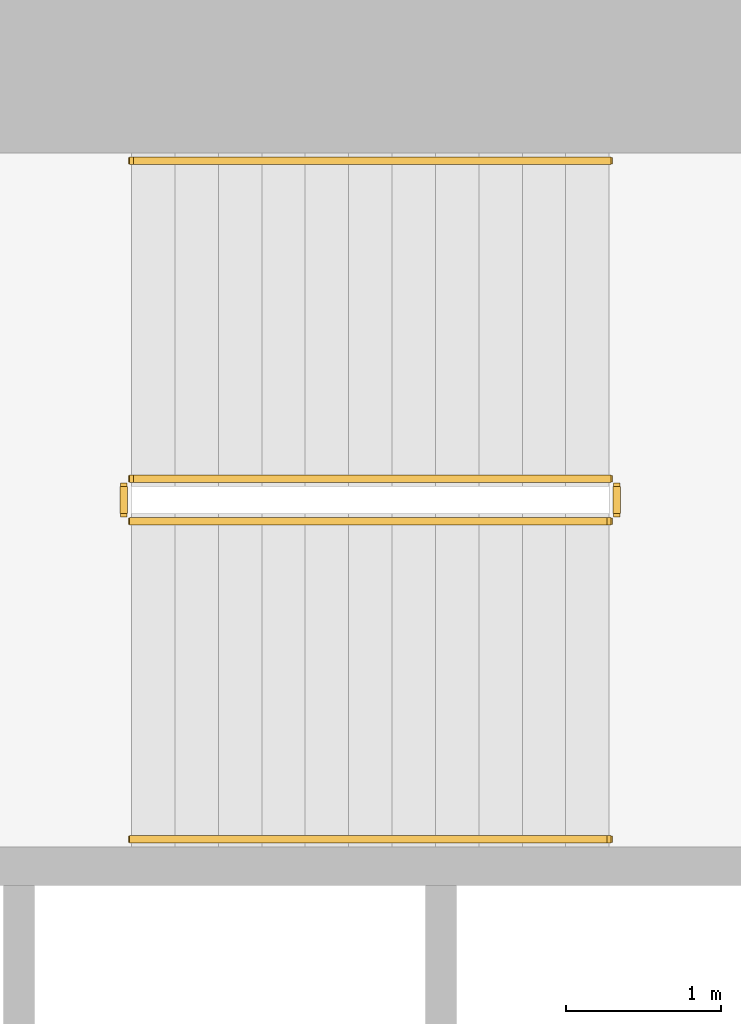
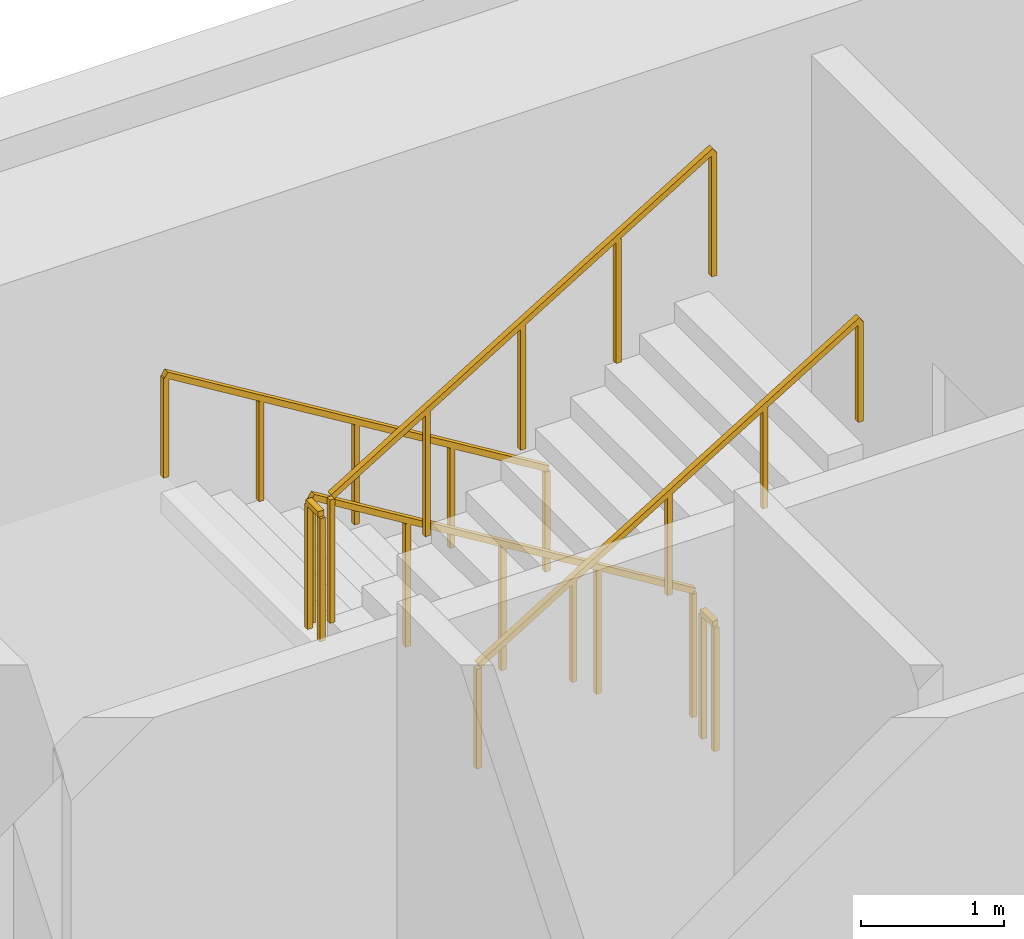
# One storey, part 14 of 15: 6 railings.
"""IFC4 building model written with IfcOpenShell, lengths in metres."""

from ifc_helpers import new_model, si_unit, direction, frame, origin, origin_2d, place, context, subcontext, project, spatial, rectangle, extrude, material, type_object, element, save


model = new_model("IFC4")

# Units and contexts
model_context = context("Model", 3, precision=1e-05, world=origin(), true_north=direction((0.0, 1.0)))
body_context = subcontext(model_context, "Body", "Model", "MODEL_VIEW")
ifc_project = project(units=[si_unit("LENGTHUNIT", "METRE"), si_unit("AREAUNIT", "SQUARE_METRE"), si_unit("VOLUMEUNIT", "CUBIC_METRE"), si_unit("PLANEANGLEUNIT", "RADIAN"), si_unit("MASSUNIT", "GRAM", prefix="KILO")], contexts=[model_context])

# Site, building, storey
site_placement = place(None, origin())
site = spatial("IfcSite", under=ifc_project, at=site_placement, CompositionType="ELEMENT")
building_placement = place(site_placement, origin())
building = spatial("IfcBuilding", under=site, at=building_placement, Name="Cypress Arch Tower", CompositionType="ELEMENT")
storey_placement = place(building_placement, frame((0.0, 0.0, 205.60009765625)))
storey = spatial("IfcBuildingStorey", under=building, at=storey_placement, Name="L45", CompositionType="ELEMENT", Elevation=205.60009765625)

# Railings
ifc_material_1 = material(Name="Black powder-coated steel square bar 48 mm", Category="steel")
railing_type_1 = type_object("IfcRailingType", Name="Stair handrail HR1", PredefinedType="HANDRAIL", material=ifc_material_1)
railing_1_placement = place(storey_placement, frame((-22.27490234375, 14.75, 0.170654296875)))
element("IfcRailing", 1, at=railing_1_placement, inside=storey, type_object=railing_type_1, Name="L45 B stair handrail 1", PredefinedType="HANDRAIL", context=body_context, shape_type="SweptSolid", body=[
    extrude(rectangle(XDim=0.048095703125, YDim=0.048095703125, at=origin_2d()), frame((0.0, 0.0, 0.8759765625), z_axis=(-0.853666305674, 0.0, 0.52082035152), x_axis=(0.0, -1.0, 0.0)), (0.0, 0.0, 1.0), 3.608154296875),
    extrude(rectangle(XDim=0.0419921875, YDim=0.0419921875, at=origin_2d()), origin(), (0.0, 0.0, 1.0), 0.851806640625),
    extrude(rectangle(XDim=0.0419921875, YDim=0.0419921875, at=origin_2d()), frame((-0.77001953125, 0.0, 0.4697265625)), (0.0, 0.0, 1.0), 0.851806640625),
    extrude(rectangle(XDim=0.0419921875, YDim=0.0419921875, at=origin_2d()), frame((-1.5400390625, 0.0, 0.939453125)), (0.0, 0.0, 1.0), 0.851806640625),
    extrude(rectangle(XDim=0.0419921875, YDim=0.0419921875, at=origin_2d()), frame((-2.31005859375, 0.0, 1.409423828125)), (0.0, 0.0, 1.0), 0.851806640625),
    extrude(rectangle(XDim=0.0419921875, YDim=0.0419921875, at=origin_2d()), frame((-3.080078125, 0.0, 1.879150390625)), (0.0, 0.0, 1.0), 0.851806640625),
])
railing_2_placement = place(storey_placement, frame((-25.35498046875, 10.375, 2.220703125)))
element("IfcRailing", 2, at=railing_2_placement, inside=storey, type_object=railing_type_1, Name="L45 B stair handrail 2", PredefinedType="HANDRAIL", context=body_context, shape_type="SweptSolid", body=[
    extrude(rectangle(XDim=0.048095703125, YDim=0.048095703125, at=origin_2d()), frame((0.0, 0.0, 0.8759765625), z_axis=(0.853666305674, 0.0, 0.52082035152), x_axis=(0.0, 1.0, 0.0)), (0.0, 0.0, 1.0), 3.608154296875),
    extrude(rectangle(XDim=0.0419921875, YDim=0.0419921875, at=origin_2d()), origin(), (0.0, 0.0, 1.0), 0.851806640625),
    extrude(rectangle(XDim=0.0419921875, YDim=0.0419921875, at=origin_2d()), frame((0.77001953125, 0.0, 0.4697265625)), (0.0, 0.0, 1.0), 0.851806640625),
    extrude(rectangle(XDim=0.0419921875, YDim=0.0419921875, at=origin_2d()), frame((1.5400390625, 0.0, 0.939453125)), (0.0, 0.0, 1.0), 0.851806640625),
    extrude(rectangle(XDim=0.0419921875, YDim=0.0419921875, at=origin_2d()), frame((2.31005859375, 0.0, 1.409423828125)), (0.0, 0.0, 1.0), 0.851806640625),
    extrude(rectangle(XDim=0.0419921875, YDim=0.0419921875, at=origin_2d()), frame((3.080078125, 0.0, 1.879150390625)), (0.0, 0.0, 1.0), 0.851806640625),
])
ifc_material_2 = material(Name="Black powder-coated steel balusters", Category="steel")
railing_type_2 = type_object("IfcRailingType", Name="Stair well guard G1", PredefinedType="GUARDRAIL", material=ifc_material_2)
railing_3_placement = place(storey_placement, frame((-22.27490234375, 12.699951171875, 0.170654296875)))
element("IfcRailing", 3, at=railing_3_placement, inside=storey, type_object=railing_type_2, Name="L45 B stair guard 1", PredefinedType="GUARDRAIL", context=body_context, shape_type="SweptSolid", body=[
    extrude(rectangle(XDim=0.048095703125, YDim=0.048095703125, at=origin_2d()), frame((0.0, 0.0, 1.076171875), z_axis=(-0.853666305674, 0.0, 0.52082035152), x_axis=(0.0, -1.0, 0.0)), (0.0, 0.0, 1.0), 3.608154296875),
    extrude(rectangle(XDim=0.0419921875, YDim=0.0419921875, at=origin_2d()), origin(), (0.0, 0.0, 1.0), 1.052001953125),
    extrude(rectangle(XDim=0.0419921875, YDim=0.0419921875, at=origin_2d()), frame((-0.77001953125, 0.0, 0.4697265625)), (0.0, 0.0, 1.0), 1.052001953125),
    extrude(rectangle(XDim=0.0419921875, YDim=0.0419921875, at=origin_2d()), frame((-1.5400390625, 0.0, 0.939453125)), (0.0, 0.0, 1.0), 1.052001953125),
    extrude(rectangle(XDim=0.0419921875, YDim=0.0419921875, at=origin_2d()), frame((-2.31005859375, 0.0, 1.409423828125)), (0.0, 0.0, 1.0), 1.052001953125),
    extrude(rectangle(XDim=0.0419921875, YDim=0.0419921875, at=origin_2d()), frame((-3.080078125, 0.0, 1.879150390625)), (0.0, 0.0, 1.0), 1.052001953125),
])
railing_4_placement = place(storey_placement, frame((-25.405029296875, 12.64990234375, 2.0498046875)))
element("IfcRailing", 4, at=railing_4_placement, inside=storey, type_object=railing_type_2, Name="L45 B stair guard 2", PredefinedType="GUARDRAIL", context=body_context, shape_type="SweptSolid", body=[
    extrude(rectangle(XDim=0.048095703125, YDim=0.048095703125, at=origin_2d()), frame((0.0, 0.0, 1.076171875), z_axis=(0.0, -1.0, 0.0), x_axis=(1.0, 0.0, 0.0)), (0.0, 0.0, 1.0), 0.1748046875),
    extrude(rectangle(XDim=0.0419921875, YDim=0.0419921875, at=origin_2d()), origin(), (0.0, 0.0, 1.0), 1.052001953125),
    extrude(rectangle(XDim=0.0419921875, YDim=0.0419921875, at=origin_2d()), frame((0.0, -0.1748046875, 0.0)), (0.0, 0.0, 1.0), 1.052001953125),
])
railing_5_placement = place(storey_placement, frame((-25.35498046875, 12.425048828125, 2.220703125)))
element("IfcRailing", 5, at=railing_5_placement, inside=storey, type_object=railing_type_2, Name="L45 B stair guard 3", PredefinedType="GUARDRAIL", context=body_context, shape_type="SweptSolid", body=[
    extrude(rectangle(XDim=0.048095703125, YDim=0.048095703125, at=origin_2d()), frame((0.0, 0.0, 1.076171875), z_axis=(0.853666305674, 0.0, 0.52082035152), x_axis=(0.0, 1.0, 0.0)), (0.0, 0.0, 1.0), 3.608154296875),
    extrude(rectangle(XDim=0.0419921875, YDim=0.0419921875, at=origin_2d()), origin(), (0.0, 0.0, 1.0), 1.052001953125),
    extrude(rectangle(XDim=0.0419921875, YDim=0.0419921875, at=origin_2d()), frame((0.77001953125, 0.0, 0.4697265625)), (0.0, 0.0, 1.0), 1.052001953125),
    extrude(rectangle(XDim=0.0419921875, YDim=0.0419921875, at=origin_2d()), frame((1.5400390625, 0.0, 0.939453125)), (0.0, 0.0, 1.0), 1.052001953125),
    extrude(rectangle(XDim=0.0419921875, YDim=0.0419921875, at=origin_2d()), frame((2.31005859375, 0.0, 1.409423828125)), (0.0, 0.0, 1.0), 1.052001953125),
    extrude(rectangle(XDim=0.0419921875, YDim=0.0419921875, at=origin_2d()), frame((3.080078125, 0.0, 1.879150390625)), (0.0, 0.0, 1.0), 1.052001953125),
])
railing_6_placement = place(storey_placement, frame((-22.22509765625, 12.64990234375, 0.0)))
element("IfcRailing", 6, at=railing_6_placement, inside=storey, type_object=railing_type_2, Name="L45 B stair guard 4", PredefinedType="GUARDRAIL", context=body_context, shape_type="SweptSolid", body=[
    extrude(rectangle(XDim=0.048095703125, YDim=0.048095703125, at=origin_2d()), frame((0.0, 0.0, 1.076171875), z_axis=(0.0, -1.0, 0.0), x_axis=(1.0, 0.0, 0.0)), (0.0, 0.0, 1.0), 0.1748046875),
    extrude(rectangle(XDim=0.0419921875, YDim=0.0419921875, at=origin_2d()), origin(), (0.0, 0.0, 1.0), 1.052001953125),
    extrude(rectangle(XDim=0.0419921875, YDim=0.0419921875, at=origin_2d()), frame((0.0, -0.1748046875, 0.0)), (0.0, 0.0, 1.0), 1.052001953125),
])

save(model, "model.ifc")
